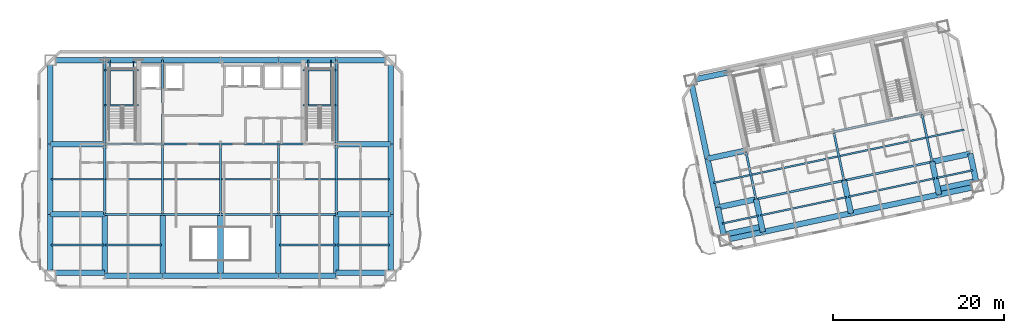
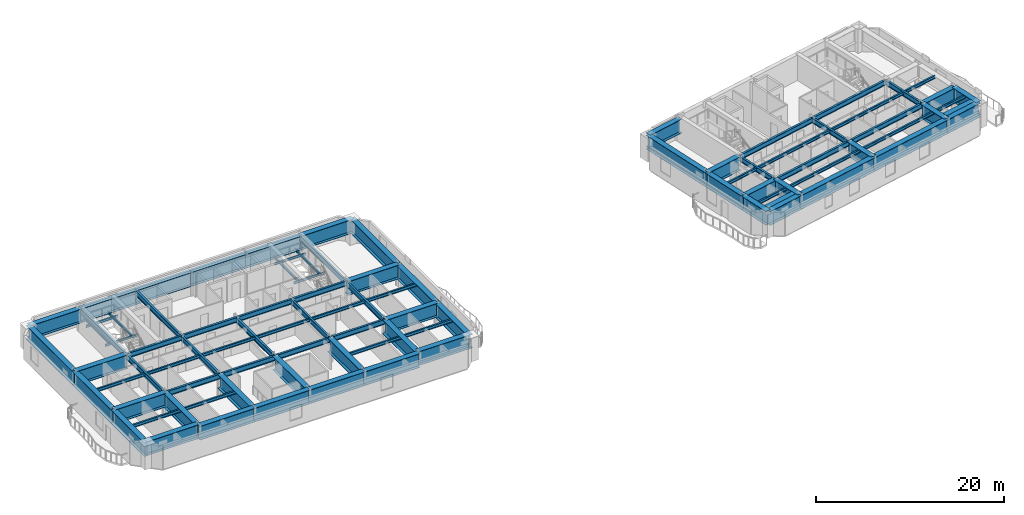
# One storey, part 3 of 15: 93 beams.
"""IFC4 building model written with IfcOpenShell, lengths in metres."""

from ifc_helpers import new_model, si_unit, direction, frame, origin, origin_2d, place, context, subcontext, project, spatial, i_section, extrude, material, material_profile, profile_set, type_object, element, save


model = new_model("IFC4")

# Units and contexts
model_context = context("Model", 3, precision=1e-05, world=origin(), true_north=direction((0.0, 1.0)))
body_context = subcontext(model_context, "Body", "Model", "MODEL_VIEW")
ifc_project = project(units=[si_unit("LENGTHUNIT", "METRE"), si_unit("AREAUNIT", "SQUARE_METRE"), si_unit("VOLUMEUNIT", "CUBIC_METRE"), si_unit("PLANEANGLEUNIT", "RADIAN"), si_unit("MASSUNIT", "GRAM", prefix="KILO")], contexts=[model_context])

# Site, building, storey
site_placement = place(None, origin())
site = spatial("IfcSite", under=ifc_project, at=site_placement, CompositionType="ELEMENT")
building_placement = place(site_placement, origin())
building = spatial("IfcBuilding", under=site, at=building_placement, Name="Haevon Station Towers", CompositionType="ELEMENT")
storey_placement = place(building_placement, frame((0.0, 0.0, 152.699951171875)))
storey = spatial("IfcBuildingStorey", under=building, at=storey_placement, Name="L41", CompositionType="ELEMENT", Elevation=152.699951171875)

# Beams
ifc_material_1 = material(Name="Steel S355", Category="steel")
ifc_material_profile_1 = material_profile(ifc_material_1, i_section(OverallWidth=0.25, OverallDepth=0.64990234375, WebThickness=0.012939453125, FlangeThickness=0.02197265625, at=origin_2d()), Name="H-650x250x13x22")
ifc_profile_set_1 = profile_set([ifc_material_profile_1], Name="Steel S355")
beam_type_1 = type_object("IfcBeamType", Name="BM-G650", PredefinedType="BEAM", material=ifc_profile_set_1)
for number, where, z_axis, x_axis, name in (
    (1, (24.0, 30.0, 2.72509765625), (1.0, 0.0, 0.0), (0.0, 1.0, 0.0), "BM-T1U-L41-02-02"),
    (2, (30.75, 30.0, 2.72509765625), (1.0, 0.0, 0.0), (0.0, 1.0, 0.0), "BM-T1U-L41-02-03"),
    (3, (37.5, 30.0, 2.72509765625), (1.0, 0.0, 0.0), (0.0, 1.0, 0.0), "BM-T1U-L41-02-04"),
    (4, (44.25, 30.0, 2.72509765625), (1.0, 0.0, 0.0), (0.0, 1.0, 0.0), "BM-T1U-L41-02-05"),
    (5, (24.0, 38.199951171875, 2.72509765625), (1.0, 0.0, 0.0), (0.0, 1.0, 0.0), "BM-T1U-L41-03-02"),
    (6, (30.75, 38.199951171875, 2.72509765625), (1.0, 0.0, 0.0), (0.0, 1.0, 0.0), "BM-T1U-L41-03-03"),
    (7, (37.5, 38.199951171875, 2.72509765625), (1.0, 0.0, 0.0), (0.0, 1.0, 0.0), "BM-T1U-L41-03-04"),
    (8, (44.25, 38.199951171875, 2.72509765625), (1.0, 0.0, 0.0), (0.0, 1.0, 0.0), "BM-T1U-L41-03-05"),
):
    element("IfcBeam", number, at=place(storey_placement, frame(where, z_axis=z_axis, x_axis=x_axis)), inside=storey, type_object=beam_type_1, Name=name, PredefinedType="BEAM", context=body_context, shape_type="SweptSolid", body=[
        extrude(i_section(OverallWidth=0.25, OverallDepth=0.64990234375, WebThickness=0.012939453125, FlangeThickness=0.02197265625, at=origin_2d()), origin(), (0.0, 0.0, 1.0), 6.75),
    ])
beam_1_placement = place(storey_placement, frame((24.0, 30.0, 2.72509765625), z_axis=(0.0, 1.0, 0.0), x_axis=(-1.0, 0.0, 0.0)))
element("IfcBeam", 9, at=beam_1_placement, inside=storey, type_object=beam_type_1, Name="BM-T1V-L41-02-02", PredefinedType="BEAM", context=body_context, shape_type="SweptSolid", body=[
    extrude(i_section(OverallWidth=0.25, OverallDepth=0.64990234375, WebThickness=0.012939453125, FlangeThickness=0.02197265625, at=origin_2d()), origin(), (0.0, 0.0, 1.0), 8.199951171875),
])
beam_2_placement = place(storey_placement, frame((24.0, 38.199951171875, 2.72509765625), z_axis=(0.0, 1.0, 0.0), x_axis=(-1.0, 0.0, 0.0)))
element("IfcBeam", 10, at=beam_2_placement, inside=storey, type_object=beam_type_1, Name="BM-T1V-L41-02-03", PredefinedType="BEAM", context=body_context, shape_type="SweptSolid", body=[
    extrude(i_section(OverallWidth=0.25, OverallDepth=0.64990234375, WebThickness=0.012939453125, FlangeThickness=0.02197265625, at=origin_2d()), origin(), (0.0, 0.0, 1.0), 9.800048828125),
])
beam_3_placement = place(storey_placement, frame((30.75, 30.0, 2.72509765625), z_axis=(0.0, 1.0, 0.0), x_axis=(-1.0, 0.0, 0.0)))
element("IfcBeam", 11, at=beam_3_placement, inside=storey, type_object=beam_type_1, Name="BM-T1V-L41-03-02", PredefinedType="BEAM", context=body_context, shape_type="SweptSolid", body=[
    extrude(i_section(OverallWidth=0.25, OverallDepth=0.64990234375, WebThickness=0.012939453125, FlangeThickness=0.02197265625, at=origin_2d()), origin(), (0.0, 0.0, 1.0), 8.199951171875),
])
beam_4_placement = place(storey_placement, frame((30.75, 38.199951171875, 2.72509765625), z_axis=(0.0, 1.0, 0.0), x_axis=(-1.0, 0.0, 0.0)))
element("IfcBeam", 12, at=beam_4_placement, inside=storey, type_object=beam_type_1, Name="BM-T1V-L41-03-03", PredefinedType="BEAM", context=body_context, shape_type="SweptSolid", body=[
    extrude(i_section(OverallWidth=0.25, OverallDepth=0.64990234375, WebThickness=0.012939453125, FlangeThickness=0.02197265625, at=origin_2d()), origin(), (0.0, 0.0, 1.0), 9.800048828125),
])
for number, where, z_axis, x_axis, name in (
    (13, (37.5, 30.0, 2.72509765625), (0.0, 1.0, 0.0), (-1.0, 0.0, 0.0), "BM-T1V-L41-04-02"),
    (14, (44.25, 30.0, 2.72509765625), (0.0, 1.0, 0.0), (-1.0, 0.0, 0.0), "BM-T1V-L41-05-02"),
    (15, (51.0, 30.0, 2.72509765625), (0.0, 1.0, 0.0), (-1.0, 0.0, 0.0), "BM-T1V-L41-06-02"),
):
    element("IfcBeam", number, at=place(storey_placement, frame(where, z_axis=z_axis, x_axis=x_axis)), inside=storey, type_object=beam_type_1, Name=name, PredefinedType="BEAM", context=body_context, shape_type="SweptSolid", body=[
        extrude(i_section(OverallWidth=0.25, OverallDepth=0.64990234375, WebThickness=0.012939453125, FlangeThickness=0.02197265625, at=origin_2d()), origin(), (0.0, 0.0, 1.0), 8.199951171875),
    ])
beam_5_placement = place(storey_placement, frame((51.0, 38.199951171875, 2.72509765625), z_axis=(0.0, 1.0, 0.0), x_axis=(-1.0, 0.0, 0.0)))
element("IfcBeam", 16, at=beam_5_placement, inside=storey, type_object=beam_type_1, Name="BM-T1V-L41-06-03", PredefinedType="BEAM", context=body_context, shape_type="SweptSolid", body=[
    extrude(i_section(OverallWidth=0.25, OverallDepth=0.64990234375, WebThickness=0.012939453125, FlangeThickness=0.02197265625, at=origin_2d()), origin(), (0.0, 0.0, 1.0), 9.800048828125),
])
for number, where, z_axis, x_axis, name in (
    (17, (99.958251953125, 31.76904296875, 2.72509765625), (0.978146794194, 0.207915485254, 0.0), (-0.207915485254, 0.978146794194, 0.0), "BM-T2U-L41-02-02"),
    (18, (110.228759765625, 33.9521484375, 2.72509765625), (0.978146794194, 0.207915485254, 0.0), (-0.207915485254, 0.978146794194, 0.0), "BM-T2U-L41-02-03"),
    (19, (98.75244140625, 37.4423828125, 2.72509765625), (0.978146794194, 0.207915485254, 0.0), (-0.207915485254, 0.978146794194, 0.0), "BM-T2U-L41-03-02"),
    (20, (109.02294921875, 39.62548828125, 2.72509765625), (0.978146794194, 0.207915485254, 0.0), (-0.207915485254, 0.978146794194, 0.0), "BM-T2U-L41-03-03"),
):
    element("IfcBeam", number, at=place(storey_placement, frame(where, z_axis=z_axis, x_axis=x_axis)), inside=storey, type_object=beam_type_1, Name=name, PredefinedType="BEAM", context=body_context, shape_type="SweptSolid", body=[
        extrude(i_section(OverallWidth=0.25, OverallDepth=0.64990234375, WebThickness=0.012939453125, FlangeThickness=0.02197265625, at=origin_2d()), origin(), (0.0, 0.0, 1.0), 10.5),
    ])
for number, where, z_axis, x_axis, name in (
    (21, (99.958251953125, 31.76904296875, 2.72509765625), (-0.207896009217, 0.97815093383, 0.0), (-0.97815093383, -0.207896009217, 0.0), "BM-T2V-L41-02-02"),
    (22, (110.228759765625, 33.9521484375, 2.72509765625), (-0.207896009217, 0.97815093383, 0.0), (-0.97815093383, -0.207896009217, 0.0), "BM-T2V-L41-03-02"),
    (23, (120.499267578125, 36.13525390625, 2.72509765625), (-0.207896009217, 0.97815093383, 0.0), (-0.97815093383, -0.207896009217, 0.0), "BM-T2V-L41-04-02"),
):
    element("IfcBeam", number, at=place(storey_placement, frame(where, z_axis=z_axis, x_axis=x_axis)), inside=storey, type_object=beam_type_1, Name=name, PredefinedType="BEAM", context=body_context, shape_type="SweptSolid", body=[
        extrude(i_section(OverallWidth=0.25, OverallDepth=0.64990234375, WebThickness=0.012939453125, FlangeThickness=0.02197265625, at=origin_2d()), origin(), (0.0, 0.0, 1.0), 5.800048828125),
    ])
ifc_material_profile_2 = material_profile(ifc_material_1, i_section(OverallWidth=0.199951171875, OverallDepth=0.39990234375, WebThickness=0.008056640625, FlangeThickness=0.012939453125, at=origin_2d()), Name="H-400x200x8x13")
ifc_profile_set_2 = profile_set([ifc_material_profile_2], Name="Steel S355")
beam_type_2 = type_object("IfcBeamType", Name="BM-J400", PredefinedType="JOIST", material=ifc_profile_set_2)
beam_6_placement = place(storey_placement, frame((17.760009765625, 26.425048828125, 2.85009765625), z_axis=(1.0, 0.0, 0.0), x_axis=(0.0, 1.0, 0.0)))
element("IfcBeam", 24, at=beam_6_placement, inside=storey, type_object=beam_type_2, Name="BM-T1J-L41-01-01", PredefinedType="JOIST", context=body_context, shape_type="SweptSolid", body=[
    extrude(i_section(OverallWidth=0.199951171875, OverallDepth=0.39990234375, WebThickness=0.008056640625, FlangeThickness=0.012939453125, at=origin_2d()), origin(), (0.0, 0.0, 1.0), 6.1298828125),
])
for number, where, z_axis, x_axis, name in (
    (25, (24.110107421875, 26.425048828125, 2.85009765625), (1.0, 0.0, 0.0), (0.0, 1.0, 0.0), "BM-T1J-L41-01-02"),
    (26, (44.360107421875, 26.425048828125, 2.85009765625), (1.0, 0.0, 0.0), (0.0, 1.0, 0.0), "BM-T1J-L41-01-05"),
):
    element("IfcBeam", number, at=place(storey_placement, frame(where, z_axis=z_axis, x_axis=x_axis)), inside=storey, type_object=beam_type_2, Name=name, PredefinedType="JOIST", context=body_context, shape_type="SweptSolid", body=[
        extrude(i_section(OverallWidth=0.199951171875, OverallDepth=0.39990234375, WebThickness=0.008056640625, FlangeThickness=0.012939453125, at=origin_2d()), origin(), (0.0, 0.0, 1.0), 6.52978515625),
    ])
for number, where, z_axis, x_axis, name in (
    (27, (51.110107421875, 26.425048828125, 2.85009765625), (1.0, 0.0, 0.0), (0.0, 1.0, 0.0), "BM-T1J-L41-01-06"),
    (28, (17.760009765625, 34.10009765625, 2.85009765625), (1.0, 0.0, 0.0), (0.0, 1.0, 0.0), "BM-T1J-L41-02-01"),
):
    element("IfcBeam", number, at=place(storey_placement, frame(where, z_axis=z_axis, x_axis=x_axis)), inside=storey, type_object=beam_type_2, Name=name, PredefinedType="JOIST", context=body_context, shape_type="SweptSolid", body=[
        extrude(i_section(OverallWidth=0.199951171875, OverallDepth=0.39990234375, WebThickness=0.008056640625, FlangeThickness=0.012939453125, at=origin_2d()), origin(), (0.0, 0.0, 1.0), 6.1298828125),
    ])
for number, where, z_axis, x_axis, name in (
    (29, (24.110107421875, 34.10009765625, 2.85009765625), (1.0, 0.0, 0.0), (0.0, 1.0, 0.0), "BM-T1J-L41-02-02"),
    (30, (30.860107421875, 34.10009765625, 2.85009765625), (1.0, 0.0, 0.0), (0.0, 1.0, 0.0), "BM-T1J-L41-02-03"),
    (31, (37.610107421875, 34.10009765625, 2.85009765625), (1.0, 0.0, 0.0), (0.0, 1.0, 0.0), "BM-T1J-L41-02-04"),
    (32, (44.360107421875, 34.10009765625, 2.85009765625), (1.0, 0.0, 0.0), (0.0, 1.0, 0.0), "BM-T1J-L41-02-05"),
):
    element("IfcBeam", number, at=place(storey_placement, frame(where, z_axis=z_axis, x_axis=x_axis)), inside=storey, type_object=beam_type_2, Name=name, PredefinedType="JOIST", context=body_context, shape_type="SweptSolid", body=[
        extrude(i_section(OverallWidth=0.199951171875, OverallDepth=0.39990234375, WebThickness=0.008056640625, FlangeThickness=0.012939453125, at=origin_2d()), origin(), (0.0, 0.0, 1.0), 6.52978515625),
    ])
beam_7_placement = place(storey_placement, frame((51.110107421875, 34.10009765625, 2.85009765625), z_axis=(1.0, 0.0, 0.0), x_axis=(0.0, 1.0, 0.0)))
element("IfcBeam", 33, at=beam_7_placement, inside=storey, type_object=beam_type_2, Name="BM-T1J-L41-02-06", PredefinedType="JOIST", context=body_context, shape_type="SweptSolid", body=[
    extrude(i_section(OverallWidth=0.199951171875, OverallDepth=0.39990234375, WebThickness=0.008056640625, FlangeThickness=0.012939453125, at=origin_2d()), origin(), (0.0, 0.0, 1.0), 6.1298828125),
])
beam_8_placement = place(storey_placement, frame((96.020751953125, 28.938720703125, 2.85009765625), z_axis=(0.978152545287, 0.207888427166, 0.0), x_axis=(-0.207888427166, 0.978152545287, 0.0)))
element("IfcBeam", 34, at=beam_8_placement, inside=storey, type_object=beam_type_2, Name="BM-T2J-L41-01-01", PredefinedType="JOIST", context=body_context, shape_type="SweptSolid", body=[
    extrude(i_section(OverallWidth=0.199951171875, OverallDepth=0.39990234375, WebThickness=0.008056640625, FlangeThickness=0.012939453125, at=origin_2d()), origin(), (0.0, 0.0, 1.0), 4.329833984375),
])
for number, where, z_axis, x_axis, name in (
    (35, (100.47119140625, 29.884521484375, 2.85009765625), (0.978145509903, 0.207921527161, 0.0), (-0.207921527161, 0.978145509903, 0.0), "BM-T2J-L41-01-02"),
    (36, (110.74169921875, 32.067626953125, 2.85009765625), (0.978145509903, 0.207921527161, 0.0), (-0.207921527161, 0.978145509903, 0.0), "BM-T2J-L41-01-03"),
):
    element("IfcBeam", number, at=place(storey_placement, frame(where, z_axis=z_axis, x_axis=x_axis)), inside=storey, type_object=beam_type_2, Name=name, PredefinedType="JOIST", context=body_context, shape_type="SweptSolid", body=[
        extrude(i_section(OverallWidth=0.199951171875, OverallDepth=0.39990234375, WebThickness=0.008056640625, FlangeThickness=0.012939453125, at=origin_2d()), origin(), (0.0, 0.0, 1.0), 10.280029296875),
    ])
beam_9_placement = place(storey_placement, frame((121.012451171875, 34.250732421875, 2.85009765625), z_axis=(0.978141078405, 0.207942373597, 0.0), x_axis=(-0.207942373597, 0.978141078405, 0.0)))
element("IfcBeam", 37, at=beam_9_placement, inside=storey, type_object=beam_type_2, Name="BM-T2J-L41-01-04", PredefinedType="JOIST", context=body_context, shape_type="SweptSolid", body=[
    extrude(i_section(OverallWidth=0.199951171875, OverallDepth=0.39990234375, WebThickness=0.008056640625, FlangeThickness=0.012939453125, at=origin_2d()), origin(), (0.0, 0.0, 1.0), 4.330078125),
])
beam_10_placement = place(storey_placement, frame((95.01220703125, 33.6826171875, 2.85009765625), z_axis=(0.978143516228, 0.20793090598, 0.0), x_axis=(-0.20793090598, 0.978143516228, 0.0)))
element("IfcBeam", 38, at=beam_10_placement, inside=storey, type_object=beam_type_2, Name="BM-T2J-L41-02-01", PredefinedType="JOIST", context=body_context, shape_type="SweptSolid", body=[
    extrude(i_section(OverallWidth=0.199951171875, OverallDepth=0.39990234375, WebThickness=0.008056640625, FlangeThickness=0.012939453125, at=origin_2d()), origin(), (0.0, 0.0, 1.0), 4.330322265625),
])
for number, where, z_axis, x_axis, name in (
    (39, (99.462890625, 34.628662109375, 2.85009765625), (0.978150339653, 0.207898804801, 0.0), (-0.207898804801, 0.978150339653, 0.0), "BM-T2J-L41-02-02"),
    (40, (109.7333984375, 36.811767578125, 2.85009765625), (0.978150339653, 0.207898804801, 0.0), (-0.207898804801, 0.978150339653, 0.0), "BM-T2J-L41-02-03"),
):
    element("IfcBeam", number, at=place(storey_placement, frame(where, z_axis=z_axis, x_axis=x_axis)), inside=storey, type_object=beam_type_2, Name=name, PredefinedType="JOIST", context=body_context, shape_type="SweptSolid", body=[
        extrude(i_section(OverallWidth=0.199951171875, OverallDepth=0.39990234375, WebThickness=0.008056640625, FlangeThickness=0.012939453125, at=origin_2d()), origin(), (0.0, 0.0, 1.0), 10.280029296875),
    ])
beam_11_placement = place(storey_placement, frame((120.00390625, 38.994873046875, 2.85009765625), z_axis=(0.978152545287, 0.207888427166, 0.0), x_axis=(-0.207888427166, 0.978152545287, 0.0)))
element("IfcBeam", 41, at=beam_11_placement, inside=storey, type_object=beam_type_2, Name="BM-T2J-L41-02-04", PredefinedType="JOIST", context=body_context, shape_type="SweptSolid", body=[
    extrude(i_section(OverallWidth=0.199951171875, OverallDepth=0.39990234375, WebThickness=0.008056640625, FlangeThickness=0.012939453125, at=origin_2d()), origin(), (0.0, 0.0, 1.0), 4.329833984375),
])
ifc_material_profile_3 = material_profile(ifc_material_1, i_section(OverallWidth=0.14990234375, OverallDepth=0.300048828125, WebThickness=0.006591796875, FlangeThickness=0.009033203125, at=origin_2d()), Name="H-300x150x6.5x9")
ifc_profile_set_3 = profile_set([ifc_material_profile_3], Name="Steel S355")
beam_type_3 = type_object("IfcBeamType", Name="BM-LIN300", PredefinedType="LINTEL", material=ifc_profile_set_3)
for number, where, z_axis, x_axis, name in (
    (42, (24.0, 42.743896484375, 1.300048828125), (1.0, 0.0, 0.0), (0.0, 1.0, 0.0), "BM-ST1L-L41-1-S"),
    (43, (24.0, 46.820068359375, 1.300048828125), (1.0, 0.0, 0.0), (0.0, 1.0, 0.0), "BM-ST1L-L41-1-N"),
):
    element("IfcBeam", number, at=place(storey_placement, frame(where, z_axis=z_axis, x_axis=x_axis)), inside=storey, type_object=beam_type_3, Name=name, PredefinedType="LINTEL", context=body_context, shape_type="SweptSolid", body=[
        extrude(i_section(OverallWidth=0.14990234375, OverallDepth=0.300048828125, WebThickness=0.006591796875, FlangeThickness=0.009033203125, at=origin_2d()), origin(), (0.0, 0.0, 1.0), 3.949951171875),
    ])
for number, where, z_axis, x_axis, name in (
    (44, (24.60009765625, 42.743896484375, 1.300048828125), (0.0, 1.0, 0.0), (-1.0, 0.0, 0.0), "BM-ST1L-L41-1-W"),
    (45, (27.35009765625, 42.743896484375, 1.300048828125), (0.0, 1.0, 0.0), (-1.0, 0.0, 0.0), "BM-ST1L-L41-1-E"),
):
    element("IfcBeam", number, at=place(storey_placement, frame(where, z_axis=z_axis, x_axis=x_axis)), inside=storey, type_object=beam_type_3, Name=name, PredefinedType="LINTEL", context=body_context, shape_type="SweptSolid", body=[
        extrude(i_section(OverallWidth=0.14990234375, OverallDepth=0.300048828125, WebThickness=0.006591796875, FlangeThickness=0.009033203125, at=origin_2d()), origin(), (0.0, 0.0, 1.0), 5.256103515625),
    ])
for number, where, z_axis, x_axis, name in (
    (46, (47.14990234375, 42.743896484375, 1.300048828125), (1.0, 0.0, 0.0), (0.0, 1.0, 0.0), "BM-ST2L-L41-1-S"),
    (47, (47.14990234375, 46.820068359375, 1.300048828125), (1.0, 0.0, 0.0), (0.0, 1.0, 0.0), "BM-ST2L-L41-1-N"),
):
    element("IfcBeam", number, at=place(storey_placement, frame(where, z_axis=z_axis, x_axis=x_axis)), inside=storey, type_object=beam_type_3, Name=name, PredefinedType="LINTEL", context=body_context, shape_type="SweptSolid", body=[
        extrude(i_section(OverallWidth=0.14990234375, OverallDepth=0.300048828125, WebThickness=0.006591796875, FlangeThickness=0.009033203125, at=origin_2d()), origin(), (0.0, 0.0, 1.0), 3.85009765625),
    ])
for number, where, z_axis, x_axis, name in (
    (48, (47.75, 42.743896484375, 1.300048828125), (0.0, 1.0, 0.0), (-1.0, 0.0, 0.0), "BM-ST2L-L41-1-W"),
    (49, (50.39990234375, 42.743896484375, 1.300048828125), (0.0, 1.0, 0.0), (-1.0, 0.0, 0.0), "BM-ST2L-L41-1-E"),
):
    element("IfcBeam", number, at=place(storey_placement, frame(where, z_axis=z_axis, x_axis=x_axis)), inside=storey, type_object=beam_type_3, Name=name, PredefinedType="LINTEL", context=body_context, shape_type="SweptSolid", body=[
        extrude(i_section(OverallWidth=0.14990234375, OverallDepth=0.300048828125, WebThickness=0.006591796875, FlangeThickness=0.009033203125, at=origin_2d()), origin(), (0.0, 0.0, 1.0), 5.256103515625),
    ])
ifc_material_2 = material(Name="Steel S460", Category="steel")
ifc_material_profile_4 = material_profile(ifc_material_2, i_section(OverallWidth=0.64990234375, OverallDepth=1.800048828125, WebThickness=0.02490234375, FlangeThickness=0.0400390625, at=origin_2d()), Name="H-1800x650x25x40")
ifc_profile_set_4 = profile_set([ifc_material_profile_4], Name="Steel S460")
beam_type_4 = type_object("IfcBeamType", Name="BM-TG1800", PredefinedType="BEAM", material=ifc_profile_set_4)
for number, where, z_axis, x_axis, name in (
    (50, (24.0, 22.85009765625, 2.150146484375), (1.0, 0.0, 0.0), (0.0, 1.0, 0.0), "BM-T1U-L41-01-02"),
    (51, (30.75, 22.85009765625, 2.150146484375), (1.0, 0.0, 0.0), (0.0, 1.0, 0.0), "BM-T1U-L41-01-03"),
    (52, (37.5, 22.85009765625, 2.150146484375), (1.0, 0.0, 0.0), (0.0, 1.0, 0.0), "BM-T1U-L41-01-04"),
    (53, (44.25, 22.85009765625, 2.150146484375), (1.0, 0.0, 0.0), (0.0, 1.0, 0.0), "BM-T1U-L41-01-05"),
):
    element("IfcBeam", number, at=place(storey_placement, frame(where, z_axis=z_axis, x_axis=x_axis)), inside=storey, type_object=beam_type_4, Name=name, PredefinedType="BEAM", context=body_context, shape_type="SweptSolid", body=[
        extrude(i_section(OverallWidth=0.64990234375, OverallDepth=1.800048828125, WebThickness=0.02490234375, FlangeThickness=0.0400390625, at=origin_2d()), origin(), (0.0, 0.0, 1.0), 6.75),
    ])
for number, where, z_axis, x_axis, name in (
    (54, (17.64990234375, 30.0, 2.150146484375), (1.0, 0.0, 0.0), (0.0, 1.0, 0.0), "BM-T1U-L41-02-01"),
    (55, (51.0, 30.0, 2.150146484375), (1.0, 0.0, 0.0), (0.0, 1.0, 0.0), "BM-T1U-L41-02-06"),
    (56, (17.64990234375, 38.199951171875, 2.150146484375), (1.0, 0.0, 0.0), (0.0, 1.0, 0.0), "BM-T1U-L41-03-01"),
    (57, (51.0, 38.199951171875, 2.150146484375), (1.0, 0.0, 0.0), (0.0, 1.0, 0.0), "BM-T1U-L41-03-06"),
    (58, (17.64990234375, 48.0, 2.150146484375), (1.0, 0.0, 0.0), (0.0, 1.0, 0.0), "BM-T1U-L41-04-01"),
):
    element("IfcBeam", number, at=place(storey_placement, frame(where, z_axis=z_axis, x_axis=x_axis)), inside=storey, type_object=beam_type_4, Name=name, PredefinedType="BEAM", context=body_context, shape_type="SweptSolid", body=[
        extrude(i_section(OverallWidth=0.64990234375, OverallDepth=1.800048828125, WebThickness=0.02490234375, FlangeThickness=0.0400390625, at=origin_2d()), origin(), (0.0, 0.0, 1.0), 6.35009765625),
    ])
for number, where, z_axis, x_axis, name in (
    (59, (24.0, 48.0, 2.150146484375), (1.0, 0.0, 0.0), (0.0, 1.0, 0.0), "BM-T1U-L41-04-02"),
    (60, (30.75, 48.0, 2.150146484375), (1.0, 0.0, 0.0), (0.0, 1.0, 0.0), "BM-T1U-L41-04-03"),
    (61, (37.5, 48.0, 2.150146484375), (1.0, 0.0, 0.0), (0.0, 1.0, 0.0), "BM-T1U-L41-04-04"),
    (62, (44.25, 48.0, 2.150146484375), (1.0, 0.0, 0.0), (0.0, 1.0, 0.0), "BM-T1U-L41-04-05"),
):
    element("IfcBeam", number, at=place(storey_placement, frame(where, z_axis=z_axis, x_axis=x_axis)), inside=storey, type_object=beam_type_4, Name=name, PredefinedType="BEAM", context=body_context, shape_type="SweptSolid", body=[
        extrude(i_section(OverallWidth=0.64990234375, OverallDepth=1.800048828125, WebThickness=0.02490234375, FlangeThickness=0.0400390625, at=origin_2d()), origin(), (0.0, 0.0, 1.0), 6.75),
    ])
beam_12_placement = place(storey_placement, frame((51.0, 48.0, 2.150146484375), z_axis=(1.0, 0.0, 0.0), x_axis=(0.0, 1.0, 0.0)))
element("IfcBeam", 63, at=beam_12_placement, inside=storey, type_object=beam_type_4, Name="BM-T1U-L41-04-06", PredefinedType="BEAM", context=body_context, shape_type="SweptSolid", body=[
    extrude(i_section(OverallWidth=0.64990234375, OverallDepth=1.800048828125, WebThickness=0.02490234375, FlangeThickness=0.0400390625, at=origin_2d()), origin(), (0.0, 0.0, 1.0), 6.35009765625),
])
beam_13_placement = place(storey_placement, frame((17.64990234375, 22.85009765625, 2.150146484375), z_axis=(0.0, 1.0, 0.0), x_axis=(-1.0, 0.0, 0.0)))
element("IfcBeam", 64, at=beam_13_placement, inside=storey, type_object=beam_type_4, Name="BM-T1V-L41-01-01", PredefinedType="BEAM", context=body_context, shape_type="SweptSolid", body=[
    extrude(i_section(OverallWidth=0.64990234375, OverallDepth=1.800048828125, WebThickness=0.02490234375, FlangeThickness=0.0400390625, at=origin_2d()), origin(), (0.0, 0.0, 1.0), 7.14990234375),
])
beam_14_placement = place(storey_placement, frame((17.64990234375, 30.0, 2.150146484375), z_axis=(0.0, 1.0, 0.0), x_axis=(-1.0, 0.0, 0.0)))
element("IfcBeam", 65, at=beam_14_placement, inside=storey, type_object=beam_type_4, Name="BM-T1V-L41-01-02", PredefinedType="BEAM", context=body_context, shape_type="SweptSolid", body=[
    extrude(i_section(OverallWidth=0.64990234375, OverallDepth=1.800048828125, WebThickness=0.02490234375, FlangeThickness=0.0400390625, at=origin_2d()), origin(), (0.0, 0.0, 1.0), 8.199951171875),
])
beam_15_placement = place(storey_placement, frame((17.64990234375, 38.199951171875, 2.150146484375), z_axis=(0.0, 1.0, 0.0), x_axis=(-1.0, 0.0, 0.0)))
element("IfcBeam", 66, at=beam_15_placement, inside=storey, type_object=beam_type_4, Name="BM-T1V-L41-01-03", PredefinedType="BEAM", context=body_context, shape_type="SweptSolid", body=[
    extrude(i_section(OverallWidth=0.64990234375, OverallDepth=1.800048828125, WebThickness=0.02490234375, FlangeThickness=0.0400390625, at=origin_2d()), origin(), (0.0, 0.0, 1.0), 9.800048828125),
])
for number, where, z_axis, x_axis, name in (
    (67, (24.0, 22.85009765625, 2.150146484375), (0.0, 1.0, 0.0), (-1.0, 0.0, 0.0), "BM-T1V-L41-02-01"),
    (68, (30.75, 22.85009765625, 2.150146484375), (0.0, 1.0, 0.0), (-1.0, 0.0, 0.0), "BM-T1V-L41-03-01"),
    (69, (37.5, 22.85009765625, 2.150146484375), (0.0, 1.0, 0.0), (-1.0, 0.0, 0.0), "BM-T1V-L41-04-01"),
    (70, (44.25, 22.85009765625, 2.150146484375), (0.0, 1.0, 0.0), (-1.0, 0.0, 0.0), "BM-T1V-L41-05-01"),
    (71, (51.0, 22.85009765625, 2.150146484375), (0.0, 1.0, 0.0), (-1.0, 0.0, 0.0), "BM-T1V-L41-06-01"),
    (72, (57.35009765625, 22.85009765625, 2.150146484375), (0.0, 1.0, 0.0), (-1.0, 0.0, 0.0), "BM-T1V-L41-07-01"),
):
    element("IfcBeam", number, at=place(storey_placement, frame(where, z_axis=z_axis, x_axis=x_axis)), inside=storey, type_object=beam_type_4, Name=name, PredefinedType="BEAM", context=body_context, shape_type="SweptSolid", body=[
        extrude(i_section(OverallWidth=0.64990234375, OverallDepth=1.800048828125, WebThickness=0.02490234375, FlangeThickness=0.0400390625, at=origin_2d()), origin(), (0.0, 0.0, 1.0), 7.14990234375),
    ])
beam_16_placement = place(storey_placement, frame((57.35009765625, 30.0, 2.150146484375), z_axis=(0.0, 1.0, 0.0), x_axis=(-1.0, 0.0, 0.0)))
element("IfcBeam", 73, at=beam_16_placement, inside=storey, type_object=beam_type_4, Name="BM-T1V-L41-07-02", PredefinedType="BEAM", context=body_context, shape_type="SweptSolid", body=[
    extrude(i_section(OverallWidth=0.64990234375, OverallDepth=1.800048828125, WebThickness=0.02490234375, FlangeThickness=0.0400390625, at=origin_2d()), origin(), (0.0, 0.0, 1.0), 8.199951171875),
])
beam_17_placement = place(storey_placement, frame((57.35009765625, 38.199951171875, 2.150146484375), z_axis=(0.0, 1.0, 0.0), x_axis=(-1.0, 0.0, 0.0)))
element("IfcBeam", 74, at=beam_17_placement, inside=storey, type_object=beam_type_4, Name="BM-T1V-L41-07-03", PredefinedType="BEAM", context=body_context, shape_type="SweptSolid", body=[
    extrude(i_section(OverallWidth=0.64990234375, OverallDepth=1.800048828125, WebThickness=0.02490234375, FlangeThickness=0.0400390625, at=origin_2d()), origin(), (0.0, 0.0, 1.0), 9.800048828125),
])
for number, where, z_axis, x_axis, name in (
    (75, (17.64990234375, 23.199951171875, 2.150146484375), (1.0, 0.0, 0.0), (0.0, 1.0, 0.0), "BM-T1CTRN-L41-1"),
    (76, (51.0, 23.199951171875, 2.150146484375), (1.0, 0.0, 0.0), (0.0, 1.0, 0.0), "BM-T1CTRN-L41-2"),
):
    element("IfcBeam", number, at=place(storey_placement, frame(where, z_axis=z_axis, x_axis=x_axis)), inside=storey, type_object=beam_type_4, Name=name, PredefinedType="BEAM", context=body_context, shape_type="SweptSolid", body=[
        extrude(i_section(OverallWidth=0.64990234375, OverallDepth=1.800048828125, WebThickness=0.02490234375, FlangeThickness=0.0400390625, at=origin_2d()), origin(), (0.0, 0.0, 1.0), 6.35009765625),
    ])
beam_18_placement = place(storey_placement, frame((96.318603515625, 27.00830078125, 2.150146484375), z_axis=(0.978144256617, 0.207927423029, 0.0), x_axis=(-0.207927423029, 0.978144256617, 0.0)))
element("IfcBeam", 77, at=beam_18_placement, inside=storey, type_object=beam_type_4, Name="BM-T2U-L41-01-01", PredefinedType="BEAM", context=body_context, shape_type="SweptSolid", body=[
    extrude(i_section(OverallWidth=0.64990234375, OverallDepth=1.800048828125, WebThickness=0.02490234375, FlangeThickness=0.0400390625, at=origin_2d()), origin(), (0.0, 0.0, 1.0), 4.5498046875),
])
beam_19_placement = place(storey_placement, frame((100.76904296875, 27.954345703125, 2.150146484375), z_axis=(0.978146794194, 0.207915485254, 0.0), x_axis=(-0.207915485254, 0.978146794194, 0.0)))
element("IfcBeam", 78, at=beam_19_placement, inside=storey, type_object=beam_type_4, Name="BM-T2U-L41-01-02", PredefinedType="BEAM", context=body_context, shape_type="SweptSolid", body=[
    extrude(i_section(OverallWidth=0.64990234375, OverallDepth=1.800048828125, WebThickness=0.02490234375, FlangeThickness=0.0400390625, at=origin_2d()), origin(), (0.0, 0.0, 1.0), 10.5),
])
beam_20_placement = place(storey_placement, frame((111.03955078125, 30.137451171875, 2.150146484375), z_axis=(0.978147799298, 0.207910756646, 0.0), x_axis=(-0.207910756646, 0.978147799298, 0.0)))
element("IfcBeam", 79, at=beam_20_placement, inside=storey, type_object=beam_type_4, Name="BM-T2U-L41-01-03", PredefinedType="BEAM", context=body_context, shape_type="SweptSolid", body=[
    extrude(i_section(OverallWidth=0.64990234375, OverallDepth=1.800048828125, WebThickness=0.02490234375, FlangeThickness=0.0400390625, at=origin_2d()), origin(), (0.0, 0.0, 1.0), 10.500244140625),
])
beam_21_placement = place(storey_placement, frame((121.310302734375, 32.320556640625, 2.150146484375), z_axis=(0.978144256617, 0.207927423029, 0.0), x_axis=(-0.207927423029, 0.978144256617, 0.0)))
element("IfcBeam", 80, at=beam_21_placement, inside=storey, type_object=beam_type_4, Name="BM-T2U-L41-01-04", PredefinedType="BEAM", context=body_context, shape_type="SweptSolid", body=[
    extrude(i_section(OverallWidth=0.64990234375, OverallDepth=1.800048828125, WebThickness=0.02490234375, FlangeThickness=0.0400390625, at=origin_2d()), origin(), (0.0, 0.0, 1.0), 4.5498046875),
])
for number, where, z_axis, x_axis, name in (
    (81, (95.507568359375, 30.8232421875, 2.150146484375), (0.978157487225, 0.207865173094, 0.0), (-0.207865173094, 0.978157487225, 0.0), "BM-T2U-L41-02-01"),
    (82, (120.499267578125, 36.13525390625, 2.150146484375), (0.978146576304, 0.207916510322, 0.0), (-0.207916510322, 0.978146576304, 0.0), "BM-T2U-L41-02-04"),
    (83, (94.3017578125, 36.496337890625, 2.150146484375), (0.978146576304, 0.207916510322, 0.0), (-0.207916510322, 0.978146576304, 0.0), "BM-T2U-L41-03-01"),
):
    element("IfcBeam", number, at=place(storey_placement, frame(where, z_axis=z_axis, x_axis=x_axis)), inside=storey, type_object=beam_type_4, Name=name, PredefinedType="BEAM", context=body_context, shape_type="SweptSolid", body=[
        extrude(i_section(OverallWidth=0.64990234375, OverallDepth=1.800048828125, WebThickness=0.02490234375, FlangeThickness=0.0400390625, at=origin_2d()), origin(), (0.0, 0.0, 1.0), 4.550048828125),
    ])
beam_22_placement = place(storey_placement, frame((92.35791015625, 45.64208984375, 2.150146484375), z_axis=(0.978144256617, 0.207927423029, 0.0), x_axis=(-0.207927423029, 0.978144256617, 0.0)))
element("IfcBeam", 84, at=beam_22_placement, inside=storey, type_object=beam_type_4, Name="BM-T2U-L41-04-01", PredefinedType="BEAM", context=body_context, shape_type="SweptSolid", body=[
    extrude(i_section(OverallWidth=0.64990234375, OverallDepth=1.800048828125, WebThickness=0.02490234375, FlangeThickness=0.0400390625, at=origin_2d()), origin(), (0.0, 0.0, 1.0), 4.5498046875),
])
beam_23_placement = place(storey_placement, frame((96.318603515625, 27.00830078125, 2.150146484375), z_axis=(-0.207947096322, 0.978140074392, 0.0), x_axis=(-0.978140074392, -0.207947096322, 0.0)))
element("IfcBeam", 85, at=beam_23_placement, inside=storey, type_object=beam_type_4, Name="BM-T2V-L41-01-01", PredefinedType="BEAM", context=body_context, shape_type="SweptSolid", body=[
    extrude(i_section(OverallWidth=0.64990234375, OverallDepth=1.800048828125, WebThickness=0.02490234375, FlangeThickness=0.0400390625, at=origin_2d()), origin(), (0.0, 0.0, 1.0), 3.900146484375),
])
beam_24_placement = place(storey_placement, frame((95.507568359375, 30.8232421875, 2.150146484375), z_axis=(-0.207904569273, 0.978149114438, 0.0), x_axis=(-0.978149114438, -0.207904569273, 0.0)))
element("IfcBeam", 86, at=beam_24_placement, inside=storey, type_object=beam_type_4, Name="BM-T2V-L41-01-02", PredefinedType="BEAM", context=body_context, shape_type="SweptSolid", body=[
    extrude(i_section(OverallWidth=0.64990234375, OverallDepth=1.800048828125, WebThickness=0.02490234375, FlangeThickness=0.0400390625, at=origin_2d()), origin(), (0.0, 0.0, 1.0), 5.7998046875),
])
beam_25_placement = place(storey_placement, frame((94.3017578125, 36.496337890625, 2.150146484375), z_axis=(-0.207897167074, 0.978150687738, 0.0), x_axis=(-0.978150687738, -0.207897167074, 0.0)))
element("IfcBeam", 87, at=beam_25_placement, inside=storey, type_object=beam_type_4, Name="BM-T2V-L41-01-03", PredefinedType="BEAM", context=body_context, shape_type="SweptSolid", body=[
    extrude(i_section(OverallWidth=0.64990234375, OverallDepth=1.800048828125, WebThickness=0.02490234375, FlangeThickness=0.0400390625, at=origin_2d()), origin(), (0.0, 0.0, 1.0), 9.35009765625),
])
for number, where, z_axis, x_axis, name in (
    (88, (100.76904296875, 27.954345703125, 2.150146484375), (-0.207899934746, 0.97815009949, 0.0), (-0.97815009949, -0.207899934746, 0.0), "BM-T2V-L41-02-01"),
    (89, (111.03955078125, 30.137451171875, 2.150146484375), (-0.207899934746, 0.97815009949, 0.0), (-0.97815009949, -0.207899934746, 0.0), "BM-T2V-L41-03-01"),
    (90, (121.310302734375, 32.320556640625, 2.150146484375), (-0.207959829392, 0.978137367326, 0.0), (-0.978137367326, -0.207959829392, 0.0), "BM-T2V-L41-04-01"),
    (91, (125.7607421875, 33.2666015625, 2.150146484375), (-0.207899934746, 0.97815009949, 0.0), (-0.97815009949, -0.207899934746, 0.0), "BM-T2V-L41-05-01"),
):
    element("IfcBeam", number, at=place(storey_placement, frame(where, z_axis=z_axis, x_axis=x_axis)), inside=storey, type_object=beam_type_4, Name=name, PredefinedType="BEAM", context=body_context, shape_type="SweptSolid", body=[
        extrude(i_section(OverallWidth=0.64990234375, OverallDepth=1.800048828125, WebThickness=0.02490234375, FlangeThickness=0.0400390625, at=origin_2d()), origin(), (0.0, 0.0, 1.0), 3.89990234375),
    ])
for number, where, z_axis, x_axis, name in (
    (92, (96.185546875, 27.63427734375, 2.150146484375), (0.978144256617, 0.207927423029, 0.0), (-0.207927423029, 0.978144256617, 0.0), "BM-T2CTRN-L41-1"),
    (93, (121.17724609375, 32.946533203125, 2.150146484375), (0.978144256617, 0.207927423029, 0.0), (-0.207927423029, 0.978144256617, 0.0), "BM-T2CTRN-L41-2"),
):
    element("IfcBeam", number, at=place(storey_placement, frame(where, z_axis=z_axis, x_axis=x_axis)), inside=storey, type_object=beam_type_4, Name=name, PredefinedType="BEAM", context=body_context, shape_type="SweptSolid", body=[
        extrude(i_section(OverallWidth=0.64990234375, OverallDepth=1.800048828125, WebThickness=0.02490234375, FlangeThickness=0.0400390625, at=origin_2d()), origin(), (0.0, 0.0, 1.0), 4.5498046875),
    ])

save(model, "model.ifc")
